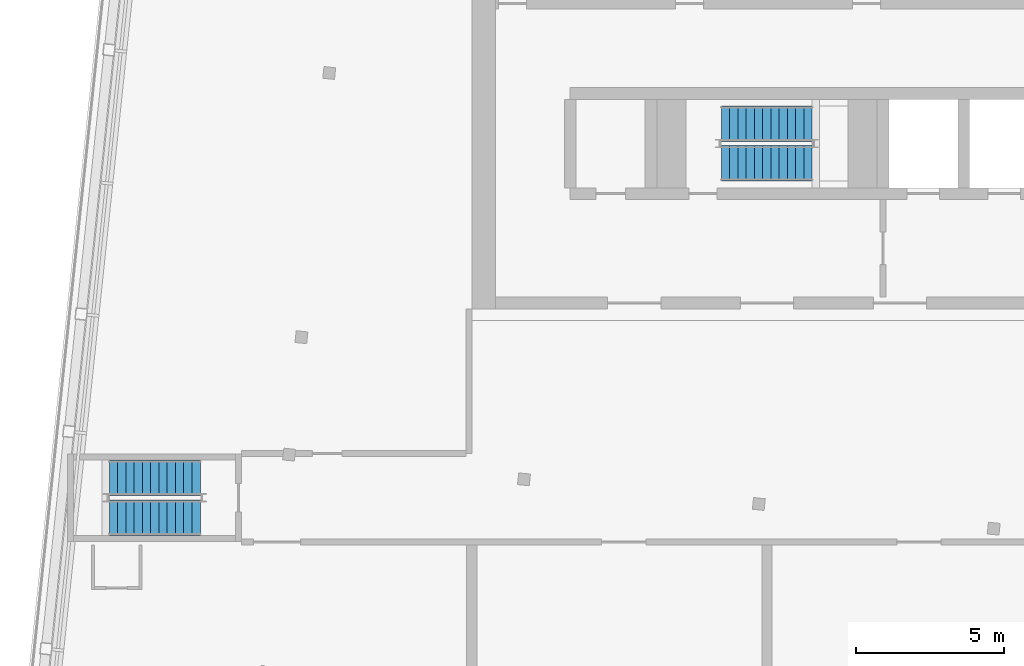
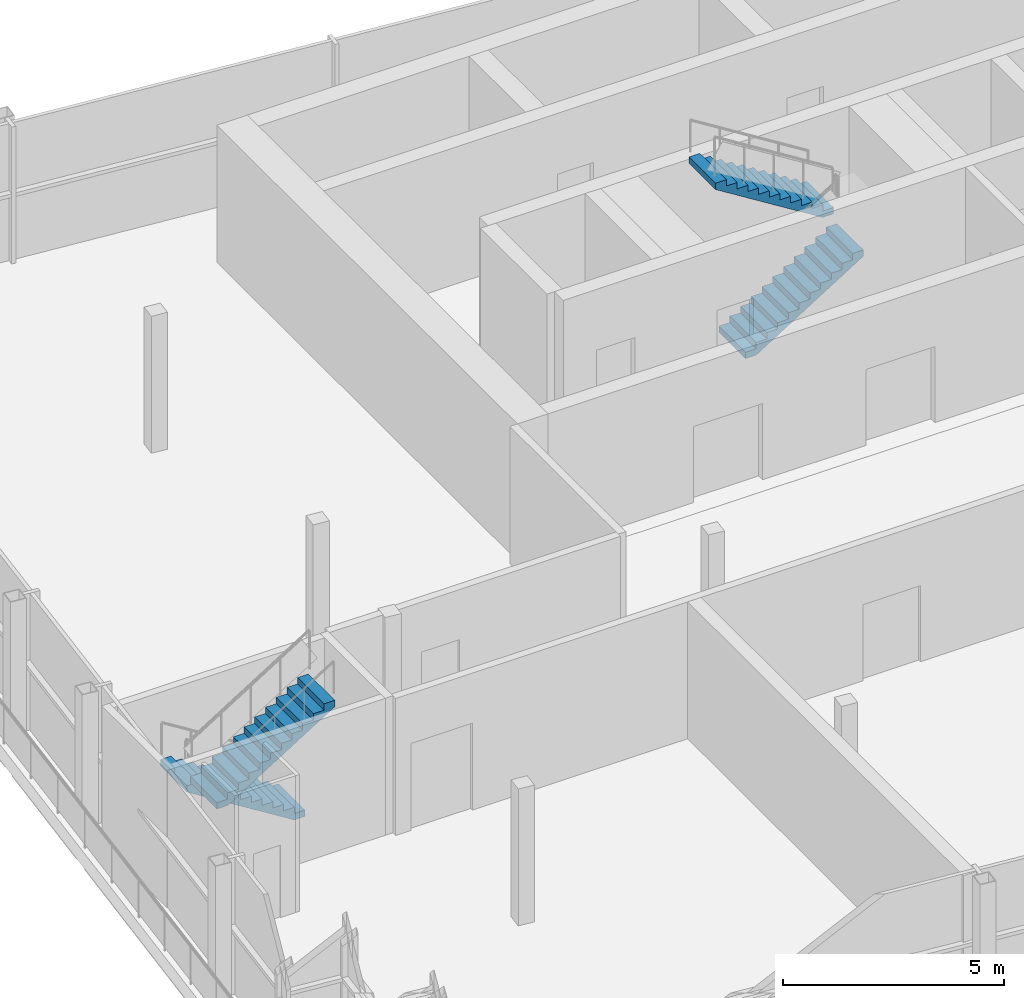
# One storey, part 9 of 13: 4 stair flights, 2 elements without a shape of their own.
"""IFC4 building model written with IfcOpenShell, lengths in metres."""

from ifc_helpers import new_model, si_unit, direction, frame, origin, place, context, subcontext, project, spatial, polyline, outline, extrude, material, type_object, element, aggregate, save


model = new_model("IFC4")

# Units and contexts
model_context = context("Model", 3, precision=1e-05, world=origin(), true_north=direction((0.0, 1.0)))
body_context = subcontext(model_context, "Body", "Model", "MODEL_VIEW")
ifc_project = project(units=[si_unit("LENGTHUNIT", "METRE"), si_unit("AREAUNIT", "SQUARE_METRE"), si_unit("VOLUMEUNIT", "CUBIC_METRE"), si_unit("PLANEANGLEUNIT", "RADIAN"), si_unit("MASSUNIT", "GRAM", prefix="KILO")], contexts=[model_context])

# Site, building, storey
site_placement = place(None, origin())
site = spatial("IfcSite", under=ifc_project, at=site_placement, CompositionType="ELEMENT")
building_placement = place(site_placement, origin())
building = spatial("IfcBuilding", under=site, at=building_placement, Name="Vidyagriha Tower", CompositionType="ELEMENT")
storey_placement = place(building_placement, frame((0.0, 0.0, 309.199951171875)))
storey = spatial("IfcBuildingStorey", under=building, at=storey_placement, Name="L79", CompositionType="ELEMENT", Elevation=309.199951171875)

# Stair, stair flights
ifc_material_1 = material(Name="Concrete C40/50", Category="concrete")
stair_type = type_object("IfcStairType", Name="Exit stair, half-turn, precast flights", PredefinedType="HALF_TURN_STAIR", material=ifc_material_1)
stair_1_placement = place(storey_placement, origin())
stair_1 = element("IfcStair", 1, at=stair_1_placement, inside=storey, type_object=stair_type, Name="L79 Drum Access Stair ST-D", PredefinedType="HALF_TURN_STAIR")
ifc_material_2 = material(Name="Precast concrete C40/50", Category="concrete")
stair_flight_type = type_object("IfcStairFlightType", Name="Exit stair flight 1200 mm, precast", PredefinedType="STRAIGHT", material=ifc_material_2)
stair_flight_1_placement = place(storey_placement, frame((-1.550048828125, 11.324951171875, 0.0)))
stair_flight_1 = element("IfcStairFlight", 2, at=stair_flight_1_placement, type_object=stair_flight_type, Name="ST-D flight 1", NumberOfRisers=12, NumberOfTreads=11, PredefinedType="STRAIGHT", RiserHeight=0.175, TreadLength=0.28, context=body_context, shape_type="SweptSolid", body=[
    extrude(outline(polyline([(0.0, 0.0), (0.0, 0.175048828125), (0.280029296875, 0.175048828125), (0.280029296875, 0.35009765625), (0.56005859375, 0.35009765625), (0.56005859375, 0.52490234375), (0.840087890625, 0.52490234375), (0.840087890625, 0.699951171875), (1.1201171875, 0.699951171875), (1.1201171875, 0.875), (1.39990234375, 0.875), (1.39990234375, 1.050048828125), (1.679931640625, 1.050048828125), (1.679931640625, 1.22509765625), (1.9599609375, 1.22509765625), (1.9599609375, 1.39990234375), (2.239990234375, 1.39990234375), (2.239990234375, 1.574951171875), (2.52001953125, 1.574951171875), (2.52001953125, 1.75), (2.800048828125, 1.75), (2.800048828125, 1.925048828125), (3.080078125, 1.925048828125), (3.080078125, 2.10009765625), (3.080078125, 1.748291015625), (0.28271484375, 0.0), (0.0, 0.0)])), frame((0.0, 0.60009765625, 0.0), z_axis=(0.0, -1.0, 0.0), x_axis=(1.0, 0.0, 0.0)), (0.0, 0.0, 1.0), 1.199951171875),
])
stair_flight_2_placement = place(storey_placement, frame((1.530029296875, 12.675048828125, 2.10009765625), z_axis=(0.0, 0.0, 1.0), x_axis=(-1.0, 0.0, 0.0)))
stair_flight_2 = element("IfcStairFlight", 3, at=stair_flight_2_placement, type_object=stair_flight_type, Name="ST-D flight 2", NumberOfRisers=12, NumberOfTreads=11, PredefinedType="STRAIGHT", RiserHeight=0.175, TreadLength=0.28, context=body_context, shape_type="SweptSolid", body=[
    extrude(outline(polyline([(0.0, 0.0), (0.0, 0.175048828125), (0.280029296875, 0.175048828125), (0.280029296875, 0.35009765625), (0.56005859375, 0.35009765625), (0.56005859375, 0.52490234375), (0.840087890625, 0.52490234375), (0.840087890625, 0.699951171875), (1.1201171875, 0.699951171875), (1.1201171875, 0.875), (1.39990234375, 0.875), (1.39990234375, 1.050048828125), (1.679931640625, 1.050048828125), (1.679931640625, 1.22509765625), (1.9599609375, 1.22509765625), (1.9599609375, 1.39990234375), (2.239990234375, 1.39990234375), (2.239990234375, 1.574951171875), (2.52001953125, 1.574951171875), (2.52001953125, 1.75), (2.800048828125, 1.75), (2.800048828125, 1.925048828125), (3.080078125, 1.925048828125), (3.080078125, 2.10009765625), (3.080078125, 1.748291015625), (0.28271484375, 0.0), (0.0, 0.0)])), frame((0.0, 0.60009765625, 0.0), z_axis=(0.0, -1.0, 0.0), x_axis=(1.0, 0.0, 0.0)), (0.0, 0.0, 1.0), 1.199951171875),
])
aggregate(stair_1, [stair_flight_1, stair_flight_2])

stair_2_placement = place(storey_placement, origin())
stair_2 = element("IfcStair", 4, at=stair_2_placement, inside=storey, type_object=stair_type, Name="L79 Drum Access Stair ST-D2", PredefinedType="HALF_TURN_STAIR")
stair_flight_3_placement = place(storey_placement, frame((-19.199951171875, 0.675048828125, 0.0), z_axis=(0.0, 0.0, 1.0), x_axis=(-1.0, 0.0, 0.0)))
stair_flight_3 = element("IfcStairFlight", 5, at=stair_flight_3_placement, type_object=stair_flight_type, Name="ST-D2 flight 1", NumberOfRisers=12, NumberOfTreads=11, PredefinedType="STRAIGHT", RiserHeight=0.175, TreadLength=0.28, context=body_context, shape_type="SweptSolid", body=[
    extrude(outline(polyline([(0.0, 0.0), (0.0, 0.175048828125), (0.280029296875, 0.175048828125), (0.280029296875, 0.35009765625), (0.56005859375, 0.35009765625), (0.56005859375, 0.52490234375), (0.840087890625, 0.52490234375), (0.840087890625, 0.699951171875), (1.1201171875, 0.699951171875), (1.1201171875, 0.875), (1.39990234375, 0.875), (1.39990234375, 1.050048828125), (1.679931640625, 1.050048828125), (1.679931640625, 1.22509765625), (1.9599609375, 1.22509765625), (1.9599609375, 1.39990234375), (2.239990234375, 1.39990234375), (2.239990234375, 1.574951171875), (2.52001953125, 1.574951171875), (2.52001953125, 1.75), (2.800048828125, 1.75), (2.800048828125, 1.925048828125), (3.080078125, 1.925048828125), (3.080078125, 2.10009765625), (3.080078125, 1.748291015625), (0.28271484375, 0.0), (0.0, 0.0)])), frame((0.0, 0.60009765625, 0.0), z_axis=(0.0, -1.0, 0.0), x_axis=(1.0, 0.0, 0.0)), (0.0, 0.0, 1.0), 1.199951171875),
])
stair_flight_4_placement = place(storey_placement, frame((-22.280029296875, -0.675048828125, 2.10009765625)))
stair_flight_4 = element("IfcStairFlight", 6, at=stair_flight_4_placement, type_object=stair_flight_type, Name="ST-D2 flight 2", NumberOfRisers=12, NumberOfTreads=11, PredefinedType="STRAIGHT", RiserHeight=0.175, TreadLength=0.28, context=body_context, shape_type="SweptSolid", body=[
    extrude(outline(polyline([(0.0, 0.0), (0.0, 0.175048828125), (0.280029296875, 0.175048828125), (0.280029296875, 0.35009765625), (0.56005859375, 0.35009765625), (0.56005859375, 0.52490234375), (0.840087890625, 0.52490234375), (0.840087890625, 0.699951171875), (1.1201171875, 0.699951171875), (1.1201171875, 0.875), (1.39990234375, 0.875), (1.39990234375, 1.050048828125), (1.679931640625, 1.050048828125), (1.679931640625, 1.22509765625), (1.9599609375, 1.22509765625), (1.9599609375, 1.39990234375), (2.239990234375, 1.39990234375), (2.239990234375, 1.574951171875), (2.52001953125, 1.574951171875), (2.52001953125, 1.75), (2.800048828125, 1.75), (2.800048828125, 1.925048828125), (3.080078125, 1.925048828125), (3.080078125, 2.10009765625), (3.080078125, 1.748291015625), (0.28271484375, 0.0), (0.0, 0.0)])), frame((0.0, 0.60009765625, 0.0), z_axis=(0.0, -1.0, 0.0), x_axis=(1.0, 0.0, 0.0)), (0.0, 0.0, 1.0), 1.199951171875),
])
aggregate(stair_2, [stair_flight_3, stair_flight_4])

save(model, "model.ifc")
